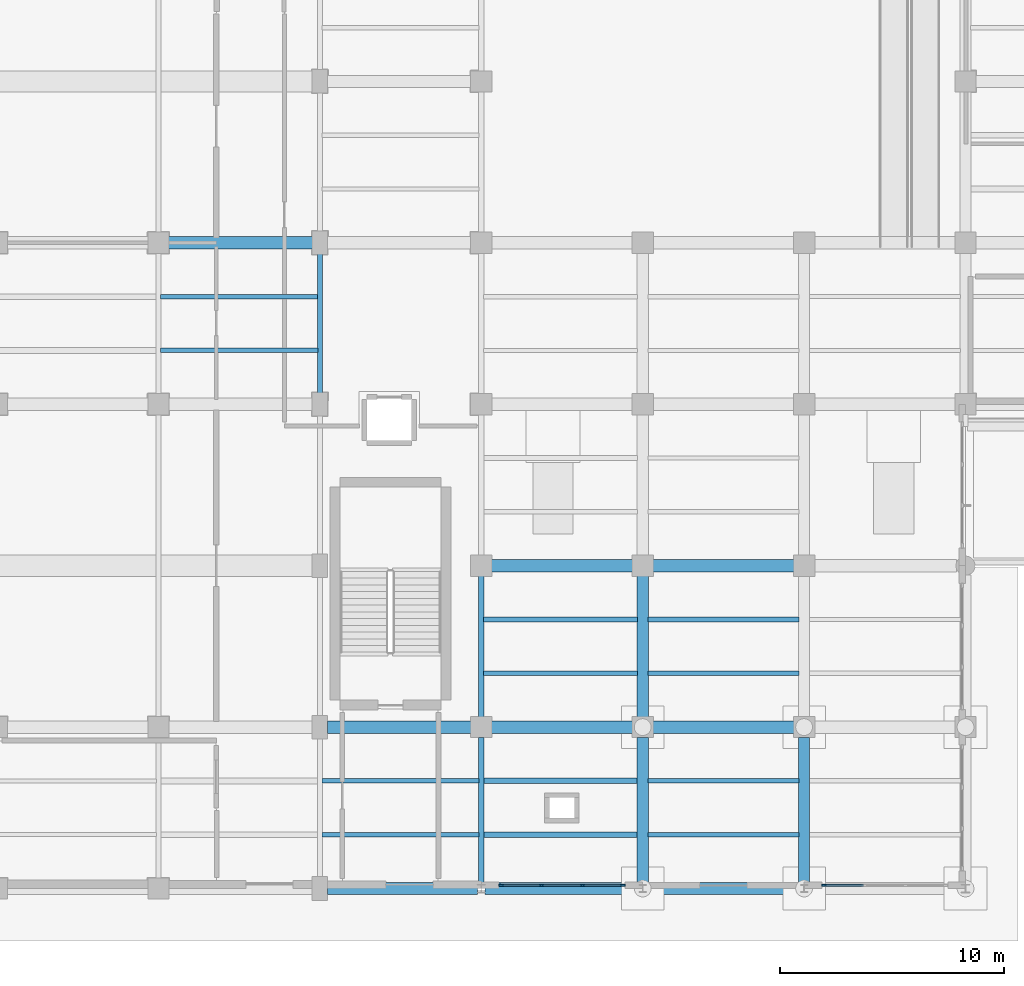
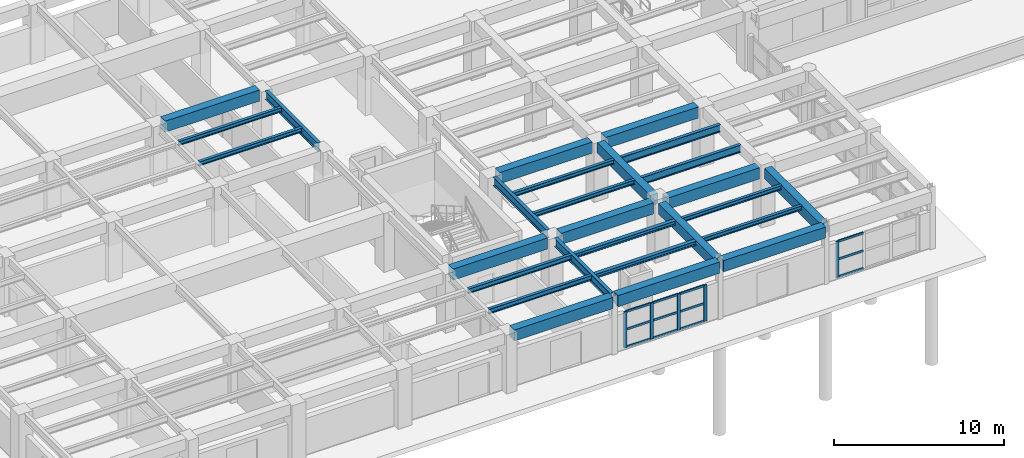
# One storey, part 6 of 64: 27 beams, 17 members, 2 elements without a shape of their own.
"""IFC4 building model written with IfcOpenShell, lengths in metres."""

from ifc_helpers import new_model, si_unit, direction, frame, origin, origin_2d, place, context, subcontext, project, spatial, rectangle, i_section, extrude, material, layer, layer_set, material_profile, profile_set, type_object, element, aggregate, save


model = new_model("IFC4")

# Units and contexts
model_context = context("Model", 3, precision=1e-05, world=origin(), true_north=direction((0.0, 1.0)))
body_context = subcontext(model_context, "Body", "Model", "MODEL_VIEW")
ifc_project = project(units=[si_unit("LENGTHUNIT", "METRE"), si_unit("AREAUNIT", "SQUARE_METRE"), si_unit("VOLUMEUNIT", "CUBIC_METRE"), si_unit("PLANEANGLEUNIT", "RADIAN"), si_unit("MASSUNIT", "GRAM", prefix="KILO")], contexts=[model_context])

# Site, building, storey
site_placement = place(None, origin())
site = spatial("IfcSite", under=ifc_project, at=site_placement, CompositionType="ELEMENT")
building_placement = place(site_placement, origin())
building = spatial("IfcBuilding", under=site, at=building_placement, Name="Solenvale Faculty of Natural Sciences", CompositionType="ELEMENT")
storey_placement = place(building_placement, origin())
storey = spatial("IfcBuildingStorey", under=building, at=storey_placement, Name="L00", CompositionType="ELEMENT", Elevation=0.0)

# Beams
ifc_material_1 = material(Name="Concrete 40 MPa", Category="concrete")
ifc_material_profile_1 = material_profile(ifc_material_1, rectangle(XDim=0.5, YDim=0.75, at=origin_2d()), Name="RC-BM-500x750")
ifc_profile_set_1 = profile_set([ifc_material_profile_1], Name="Concrete 40 MPa")
beam_type_1 = type_object("IfcBeamType", Name="BM-RC-500x750", PredefinedType="BEAM", material=ifc_profile_set_1)
beam_1_placement = place(storey_placement, frame((43.199951171875, 0.138916015625, 3.844970703125), z_axis=(0.0, 1.0, 0.0), x_axis=(-1.0, 0.0, 0.0)))
element("IfcBeam", 1, at=beam_1_placement, inside=storey, type_object=beam_type_1, Name="L00 Y-Girder X43.2 (0.0..7.2)", PredefinedType="BEAM", context=body_context, shape_type="SweptSolid", body=[
    extrude(rectangle(XDim=0.5, YDim=0.75, at=origin_2d()), origin(), (0.0, 0.0, 1.0), 6.606201171875),
])
beam_2_placement = place(storey_placement, frame((43.199951171875, 7.655029296875, 3.844970703125), z_axis=(0.0, 1.0, 0.0), x_axis=(-1.0, 0.0, 0.0)))
element("IfcBeam", 2, at=beam_2_placement, inside=storey, type_object=beam_type_1, Name="L00 Y-Girder X43.2 (7.2..14.4)", PredefinedType="BEAM", context=body_context, shape_type="SweptSolid", body=[
    extrude(rectangle(XDim=0.5, YDim=0.75, at=origin_2d()), origin(), (0.0, 0.0, 1.0), 6.2900390625),
])
beam_3_placement = place(storey_placement, frame((50.39990234375, 0.138916015625, 3.844970703125), z_axis=(0.0, 1.0, 0.0), x_axis=(-1.0, 0.0, 0.0)))
element("IfcBeam", 3, at=beam_3_placement, inside=storey, type_object=beam_type_1, Name="L00 Y-Girder X50.4 (0.0..7.2)", PredefinedType="BEAM", context=body_context, shape_type="SweptSolid", body=[
    extrude(rectangle(XDim=0.5, YDim=0.75, at=origin_2d()), origin(), (0.0, 0.0, 1.0), 6.606201171875),
])
ifc_material_profile_2 = material_profile(ifc_material_1, rectangle(XDim=0.550048828125, YDim=0.800048828125, at=origin_2d()), Name="RC-BM-550x800")
ifc_profile_set_2 = profile_set([ifc_material_profile_2], Name="Concrete 40 MPa")
beam_type_2 = type_object("IfcBeamType", Name="BM-RC-550x800", PredefinedType="BEAM", material=ifc_profile_set_2)
beam_4_placement = place(storey_placement, frame((29.1298828125, 0.0, 3.820068359375), z_axis=(1.0, 0.0, 0.0), x_axis=(0.0, 1.0, 0.0)))
element("IfcBeam", 4, at=beam_4_placement, inside=storey, type_object=beam_type_2, Name="L00 X-Girder Y0.0 (28.8..36.0)", PredefinedType="BEAM", context=body_context, shape_type="SweptSolid", body=[
    extrude(rectangle(XDim=0.550048828125, YDim=0.800048828125, at=origin_2d()), origin(), (0.0, 0.0, 1.0), 6.7060546875),
])
beam_5_placement = place(storey_placement, frame((36.1640625, 0.0, 3.820068359375), z_axis=(1.0, 0.0, 0.0), x_axis=(0.0, 1.0, 0.0)))
element("IfcBeam", 5, at=beam_5_placement, inside=storey, type_object=beam_type_2, Name="L00 X-Girder Y0.0 (36.0..43.2)", PredefinedType="BEAM", context=body_context, shape_type="SweptSolid", body=[
    extrude(rectangle(XDim=0.550048828125, YDim=0.800048828125, at=origin_2d()), origin(), (0.0, 0.0, 1.0), 6.90185546875),
])
beam_6_placement = place(storey_placement, frame((43.333984375, 0.0, 3.820068359375), z_axis=(1.0, 0.0, 0.0), x_axis=(0.0, 1.0, 0.0)))
element("IfcBeam", 6, at=beam_6_placement, inside=storey, type_object=beam_type_2, Name="L00 X-Girder Y0.0 (43.2..50.4)", PredefinedType="BEAM", context=body_context, shape_type="SweptSolid", body=[
    extrude(rectangle(XDim=0.550048828125, YDim=0.800048828125, at=origin_2d()), origin(), (0.0, 0.0, 1.0), 6.93212890625),
])
beam_7_placement = place(storey_placement, frame((29.1298828125, 7.199951171875, 3.820068359375), z_axis=(1.0, 0.0, 0.0), x_axis=(0.0, 1.0, 0.0)))
element("IfcBeam", 7, at=beam_7_placement, inside=storey, type_object=beam_type_2, Name="L00 X-Girder Y7.2 (28.8..36.0)", PredefinedType="BEAM", context=body_context, shape_type="SweptSolid", body=[
    extrude(rectangle(XDim=0.550048828125, YDim=0.800048828125, at=origin_2d()), origin(), (0.0, 0.0, 1.0), 6.4150390625),
])
for number, where, z_axis, x_axis, name in (
    (8, (36.455078125, 7.199951171875, 3.820068359375), (1.0, 0.0, 0.0), (0.0, 1.0, 0.0), "L00 X-Girder Y7.2 (36.0..43.2)"),
    (9, (43.655029296875, 7.199951171875, 3.820068359375), (1.0, 0.0, 0.0), (0.0, 1.0, 0.0), "L00 X-Girder Y7.2 (43.2..50.4)"),
    (10, (36.455078125, 14.39990234375, 3.820068359375), (1.0, 0.0, 0.0), (0.0, 1.0, 0.0), "L00 X-Girder Y14.4 (36.0..43.2)"),
    (11, (43.655029296875, 14.39990234375, 3.820068359375), (1.0, 0.0, 0.0), (0.0, 1.0, 0.0), "L00 X-Girder Y14.4 (43.2..50.4)"),
):
    element("IfcBeam", number, at=place(storey_placement, frame(where, z_axis=z_axis, x_axis=x_axis)), inside=storey, type_object=beam_type_2, Name=name, PredefinedType="BEAM", context=body_context, shape_type="SweptSolid", body=[
        extrude(rectangle(XDim=0.550048828125, YDim=0.800048828125, at=origin_2d()), origin(), (0.0, 0.0, 1.0), 6.2900390625),
    ])
beam_8_placement = place(storey_placement, frame((22.054931640625, 28.800048828125, 3.820068359375), z_axis=(1.0, 0.0, 0.0), x_axis=(0.0, 1.0, 0.0)))
element("IfcBeam", 12, at=beam_8_placement, inside=storey, type_object=beam_type_2, Name="L00 X-Girder Y28.8 (21.6..28.8)", PredefinedType="BEAM", context=body_context, shape_type="SweptSolid", body=[
    extrude(rectangle(XDim=0.550048828125, YDim=0.800048828125, at=origin_2d()), origin(), (0.0, 0.0, 1.0), 6.4150390625),
])
ifc_material_2 = material(Name="Steel S355", Category="steel")
ifc_material_profile_3 = material_profile(ifc_material_2, i_section(OverallWidth=0.202880859375, OverallDepth=0.302978515625, WebThickness=0.007568359375, FlangeThickness=0.01318359375, FilletRadius=0.014892578125, at=origin_2d()), Name="W310x60")
ifc_profile_set_3 = profile_set([ifc_material_profile_3], Name="Steel S355")
beam_type_3 = type_object("IfcBeamType", Name="BM-STL-W310x60", PredefinedType="JOIST", material=ifc_profile_set_3)
for number, where, z_axis, x_axis, name in (
    (13, (21.695068359375, 24.0, 4.068603515625), (1.0, 0.0, 0.0), (0.0, 1.0, 0.0), "L00 Composite Floor Joist (4,4).1"),
    (14, (21.695068359375, 26.39990234375, 4.068603515625), (1.0, 0.0, 0.0), (0.0, 1.0, 0.0), "L00 Composite Floor Joist (4,4).2"),
):
    element("IfcBeam", number, at=place(storey_placement, frame(where, z_axis=z_axis, x_axis=x_axis)), inside=storey, type_object=beam_type_3, Name=name, PredefinedType="JOIST", context=body_context, shape_type="SweptSolid", body=[
        extrude(i_section(OverallWidth=0.202880859375, OverallDepth=0.302978515625, WebThickness=0.007568359375, FlangeThickness=0.01318359375, FilletRadius=0.014892578125, at=origin_2d()), origin(), (0.0, 0.0, 1.0), 7.010986328125),
    ])
for number, where, z_axis, x_axis, name in (
    (15, (36.093994140625, 9.60009765625, 4.068603515625), (1.0, 0.0, 0.0), (0.0, 1.0, 0.0), "L00 Composite Floor Joist (6,2).1"),
    (16, (36.093994140625, 12.0, 4.068603515625), (1.0, 0.0, 0.0), (0.0, 1.0, 0.0), "L00 Composite Floor Joist (6,2).2"),
):
    element("IfcBeam", number, at=place(storey_placement, frame(where, z_axis=z_axis, x_axis=x_axis)), inside=storey, type_object=beam_type_3, Name=name, PredefinedType="JOIST", context=body_context, shape_type="SweptSolid", body=[
        extrude(i_section(OverallWidth=0.202880859375, OverallDepth=0.302978515625, WebThickness=0.007568359375, FlangeThickness=0.01318359375, FilletRadius=0.014892578125, at=origin_2d()), origin(), (0.0, 0.0, 1.0), 6.8759765625),
    ])
for number, where, z_axis, x_axis, name in (
    (17, (43.429931640625, 2.39990234375, 4.068603515625), (1.0, 0.0, 0.0), (0.0, 1.0, 0.0), "L00 Composite Floor Joist (7,1).1"),
    (18, (43.429931640625, 4.800048828125, 4.068603515625), (1.0, 0.0, 0.0), (0.0, 1.0, 0.0), "L00 Composite Floor Joist (7,1).2"),
):
    element("IfcBeam", number, at=place(storey_placement, frame(where, z_axis=z_axis, x_axis=x_axis)), inside=storey, type_object=beam_type_3, Name=name, PredefinedType="JOIST", context=body_context, shape_type="SweptSolid", body=[
        extrude(i_section(OverallWidth=0.202880859375, OverallDepth=0.302978515625, WebThickness=0.007568359375, FlangeThickness=0.01318359375, FilletRadius=0.014892578125, at=origin_2d()), origin(), (0.0, 0.0, 1.0), 6.739990234375),
    ])
ifc_material_profile_4 = material_profile(ifc_material_2, i_section(OverallWidth=0.25390625, OverallDepth=0.305908203125, WebThickness=0.0087890625, FlangeThickness=0.0146484375, FilletRadius=0.014892578125, at=origin_2d()), Name="W310x79")
ifc_profile_set_4 = profile_set([ifc_material_profile_4], Name="Steel S355")
beam_type_4 = type_object("IfcBeamType", Name="BM-STL-W310x79", PredefinedType="JOIST", material=ifc_profile_set_4)
for number, where, z_axis, x_axis, name in (
    (19, (36.093994140625, 2.39990234375, 4.06689453125), (1.0, 0.0, 0.0), (0.0, 1.0, 0.0), "L00 Composite Floor Joist (6,1).1"),
    (20, (36.093994140625, 4.800048828125, 4.06689453125), (1.0, 0.0, 0.0), (0.0, 1.0, 0.0), "L00 Composite Floor Joist (6,1).2"),
):
    element("IfcBeam", number, at=place(storey_placement, frame(where, z_axis=z_axis, x_axis=x_axis)), inside=storey, type_object=beam_type_4, Name=name, PredefinedType="JOIST", context=body_context, shape_type="SweptSolid", body=[
        extrude(i_section(OverallWidth=0.25390625, OverallDepth=0.305908203125, WebThickness=0.0087890625, FlangeThickness=0.0146484375, FilletRadius=0.014892578125, at=origin_2d()), origin(), (0.0, 0.0, 1.0), 6.8759765625),
    ])
ifc_material_profile_5 = material_profile(ifc_material_2, i_section(OverallWidth=0.2041015625, OverallDepth=0.35009765625, WebThickness=0.008544921875, FlangeThickness=0.01513671875, FilletRadius=0.014892578125, at=origin_2d()), Name="W360x72")
ifc_profile_set_5 = profile_set([ifc_material_profile_5], Name="Steel S355")
beam_type_5 = type_object("IfcBeamType", Name="BM-STL-W360x72", PredefinedType="JOIST", material=ifc_profile_set_5)
for number, where, z_axis, x_axis, name in (
    (21, (28.89501953125, 2.39990234375, 4.044921875), (1.0, 0.0, 0.0), (0.0, 1.0, 0.0), "L00 Composite Floor Joist (5,1).1"),
    (22, (28.89501953125, 4.800048828125, 4.044921875), (1.0, 0.0, 0.0), (0.0, 1.0, 0.0), "L00 Composite Floor Joist (5,1).2"),
):
    element("IfcBeam", number, at=place(storey_placement, frame(where, z_axis=z_axis, x_axis=x_axis)), inside=storey, type_object=beam_type_5, Name=name, PredefinedType="JOIST", context=body_context, shape_type="SweptSolid", body=[
        extrude(i_section(OverallWidth=0.2041015625, OverallDepth=0.35009765625, WebThickness=0.008544921875, FlangeThickness=0.01513671875, FilletRadius=0.014892578125, at=origin_2d()), origin(), (0.0, 0.0, 1.0), 7.010986328125),
    ])
ifc_material_profile_6 = material_profile(ifc_material_2, i_section(OverallWidth=0.208984375, OverallDepth=0.532958984375, WebThickness=0.01025390625, FlangeThickness=0.015625, FilletRadius=0.01904296875, at=origin_2d()), Name="W530x92")
ifc_profile_set_6 = profile_set([ifc_material_profile_6], Name="Steel S355")
beam_type_6 = type_object("IfcBeamType", Name="BM-STL-W530x92", PredefinedType="JOIST", material=ifc_profile_set_6)
for number, where, z_axis, x_axis, name in (
    (23, (43.429931640625, 9.60009765625, 3.95361328125), (1.0, 0.0, 0.0), (0.0, 1.0, 0.0), "L00 Composite Floor Joist (7,2).1"),
    (24, (43.429931640625, 12.0, 3.95361328125), (1.0, 0.0, 0.0), (0.0, 1.0, 0.0), "L00 Composite Floor Joist (7,2).2"),
):
    element("IfcBeam", number, at=place(storey_placement, frame(where, z_axis=z_axis, x_axis=x_axis)), inside=storey, type_object=beam_type_6, Name=name, PredefinedType="JOIST", context=body_context, shape_type="SweptSolid", body=[
        extrude(i_section(OverallWidth=0.208984375, OverallDepth=0.532958984375, WebThickness=0.01025390625, FlangeThickness=0.015625, FilletRadius=0.01904296875, at=origin_2d()), origin(), (0.0, 0.0, 1.0), 6.739990234375),
    ])
ifc_material_profile_7 = material_profile(ifc_material_2, i_section(OverallWidth=0.22900390625, OverallDepth=0.612060546875, WebThickness=0.011962890625, FlangeThickness=0.01953125, FilletRadius=0.01904296875, at=origin_2d()), Name="W610x125")
ifc_profile_set_7 = profile_set([ifc_material_profile_7], Name="Steel S355")
beam_type_7 = type_object("IfcBeamType", Name="BM-STL-W610x125", PredefinedType="BEAM", material=ifc_profile_set_7)
beam_9_placement = place(storey_placement, frame((28.800048828125, 22.10498046875, 3.9140625), z_axis=(0.0, 1.0, 0.0), x_axis=(-1.0, 0.0, 0.0)))
element("IfcBeam", 25, at=beam_9_placement, inside=storey, type_object=beam_type_7, Name="L00 Y-Girder X28.8 (21.6..28.8)", PredefinedType="BEAM", context=body_context, shape_type="SweptSolid", body=[
    extrude(i_section(OverallWidth=0.22900390625, OverallDepth=0.612060546875, WebThickness=0.011962890625, FlangeThickness=0.01953125, FilletRadius=0.01904296875, at=origin_2d()), origin(), (0.0, 0.0, 1.0), 6.18994140625),
])
beam_10_placement = place(storey_placement, frame((36.0, 0.157958984375, 3.9140625), z_axis=(0.0, 1.0, 0.0), x_axis=(-1.0, 0.0, 0.0)))
element("IfcBeam", 26, at=beam_10_placement, inside=storey, type_object=beam_type_7, Name="L00 Y-Girder X36.0 (0.0..7.2)", PredefinedType="BEAM", context=body_context, shape_type="SweptSolid", body=[
    extrude(i_section(OverallWidth=0.22900390625, OverallDepth=0.612060546875, WebThickness=0.011962890625, FlangeThickness=0.01953125, FilletRadius=0.01904296875, at=origin_2d()), origin(), (0.0, 0.0, 1.0), 6.587158203125),
])
beam_11_placement = place(storey_placement, frame((36.0, 7.655029296875, 3.9140625), z_axis=(0.0, 1.0, 0.0), x_axis=(-1.0, 0.0, 0.0)))
element("IfcBeam", 27, at=beam_11_placement, inside=storey, type_object=beam_type_7, Name="L00 Y-Girder X36.0 (7.2..14.4)", PredefinedType="BEAM", context=body_context, shape_type="SweptSolid", body=[
    extrude(i_section(OverallWidth=0.22900390625, OverallDepth=0.612060546875, WebThickness=0.011962890625, FlangeThickness=0.01953125, FilletRadius=0.01904296875, at=origin_2d()), origin(), (0.0, 0.0, 1.0), 6.2900390625),
])

# Curtain wall, members
ifc_material_3 = material(Name="Anodised bronze aluminium", Category="aluminium")
ifc_layer = layer(ifc_material_3, 0.205078125)
ifc_layer_set = layer_set([ifc_layer], Name="Anodised bronze aluminium")
curtain_wall_type = type_object("IfcCurtainWallType", Name="CW-POR-GLZ", PredefinedType="USERDEFINED", material=ifc_layer_set)
curtain_wall_1_placement = place(storey_placement, origin())
curtain_wall_1 = element("IfcCurtainWall", 28, at=curtain_wall_1_placement, inside=storey, type_object=curtain_wall_type, Name="L00 Curtain Wall CW-L00-P1-E26-B1", ObjectType="UNITISED CURTAIN WALL", PredefinedType="USERDEFINED")
ifc_material_profile_8 = material_profile(ifc_material_3, rectangle(XDim=0.074951171875, YDim=0.2099609375, at=origin_2d()), Name="ALU-MUL-75x210")
ifc_profile_set_8 = profile_set([ifc_material_profile_8], Name="Anodised bronze aluminium")
member_type_1 = type_object("IfcMemberType", Name="CWM-ALU-75x210", PredefinedType="MULLION", material=ifc_profile_set_8)
member_1_placement = place(storey_placement, frame((36.887451171875, 0.142578125, 0.0), z_axis=(0.0, 0.0, 1.0), x_axis=(0.0, 1.0, 0.0)))
member_1 = element("IfcMember", 29, at=member_1_placement, type_object=member_type_1, Name="CW-06 mullion 1", PredefinedType="MULLION", context=body_context, shape_type="SweptSolid", body=[
    extrude(rectangle(XDim=0.074951171875, YDim=0.2099609375, at=origin_2d()), origin(), (0.0, 0.0, 1.0), 2.60009765625),
])
member_2_placement = place(storey_placement, frame((38.683349609375, 0.142578125, 0.0), z_axis=(0.0, 0.0, 1.0), x_axis=(0.0, 1.0, 0.0)))
member_2 = element("IfcMember", 30, at=member_2_placement, type_object=member_type_1, Name="CW-06 mullion 2", PredefinedType="MULLION", context=body_context, shape_type="SweptSolid", body=[
    extrude(rectangle(XDim=0.074951171875, YDim=0.2099609375, at=origin_2d()), origin(), (0.0, 0.0, 1.0), 2.60009765625),
])
member_3_placement = place(storey_placement, frame((40.5166015625, 0.142578125, 0.0), z_axis=(0.0, 0.0, 1.0), x_axis=(0.0, 1.0, 0.0)))
member_3 = element("IfcMember", 31, at=member_3_placement, type_object=member_type_1, Name="CW-06 mullion 3", PredefinedType="MULLION", context=body_context, shape_type="SweptSolid", body=[
    extrude(rectangle(XDim=0.074951171875, YDim=0.2099609375, at=origin_2d()), origin(), (0.0, 0.0, 1.0), 2.60009765625),
])
member_4_placement = place(storey_placement, frame((42.3125, 0.142578125, 0.0), z_axis=(0.0, 0.0, 1.0), x_axis=(0.0, 1.0, 0.0)))
member_4 = element("IfcMember", 32, at=member_4_placement, type_object=member_type_1, Name="CW-06 mullion 4", PredefinedType="MULLION", context=body_context, shape_type="SweptSolid", body=[
    extrude(rectangle(XDim=0.074951171875, YDim=0.2099609375, at=origin_2d()), origin(), (0.0, 0.0, 1.0), 2.60009765625),
])

# Curtain wall, member
curtain_wall_2_placement = place(storey_placement, origin())
curtain_wall_2 = element("IfcCurtainWall", 33, at=curtain_wall_2_placement, inside=storey, type_object=curtain_wall_type, Name="L00 Curtain Wall CW-L00-P1-E26-B3", ObjectType="UNITISED CURTAIN WALL", PredefinedType="USERDEFINED")
member_5_placement = place(storey_placement, frame((51.28759765625, 0.142578125, 0.0), z_axis=(0.0, 0.0, 1.0), x_axis=(0.0, 1.0, 0.0)))
member_5 = element("IfcMember", 34, at=member_5_placement, type_object=member_type_1, Name="CW-06 mullion 1", PredefinedType="MULLION", context=body_context, shape_type="SweptSolid", body=[
    extrude(rectangle(XDim=0.074951171875, YDim=0.2099609375, at=origin_2d()), origin(), (0.0, 0.0, 1.0), 2.60009765625),
])

# Member
ifc_material_profile_9 = material_profile(ifc_material_3, rectangle(XDim=0.074951171875, YDim=0.155029296875, at=origin_2d()), Name="ALU-TRN-75x155")
ifc_profile_set_9 = profile_set([ifc_material_profile_9], Name="Anodised bronze aluminium")
member_type_2 = type_object("IfcMemberType", Name="CWT-ALU-75x155", PredefinedType="USERDEFINED", material=ifc_profile_set_9)
member_6_placement = place(storey_placement, frame((36.925048828125, 0.142578125, 0.03759765625), z_axis=(1.0, 0.0, 0.0), x_axis=(0.0, 1.0, 0.0)))
member_6 = element("IfcMember", 35, at=member_6_placement, type_object=member_type_2, Name="CW-06 transom 1.1", ObjectType="TRANSOM", PredefinedType="USERDEFINED", context=body_context, shape_type="SweptSolid", body=[
    extrude(rectangle(XDim=0.074951171875, YDim=0.155029296875, at=origin_2d()), origin(), (0.0, 0.0, 1.0), 1.720703125),
])

member_7_placement = place(storey_placement, frame((36.925048828125, 0.142578125, 1.300048828125), z_axis=(1.0, 0.0, 0.0), x_axis=(0.0, 1.0, 0.0)))
member_7 = element("IfcMember", 36, at=member_7_placement, type_object=member_type_2, Name="CW-06 transom 1.2", ObjectType="TRANSOM", PredefinedType="USERDEFINED", context=body_context, shape_type="SweptSolid", body=[
    extrude(rectangle(XDim=0.074951171875, YDim=0.155029296875, at=origin_2d()), origin(), (0.0, 0.0, 1.0), 1.720703125),
])

member_8_placement = place(storey_placement, frame((36.925048828125, 0.142578125, 2.5625), z_axis=(1.0, 0.0, 0.0), x_axis=(0.0, 1.0, 0.0)))
member_8 = element("IfcMember", 37, at=member_8_placement, type_object=member_type_2, Name="CW-06 transom 1.3", ObjectType="TRANSOM", PredefinedType="USERDEFINED", context=body_context, shape_type="SweptSolid", body=[
    extrude(rectangle(XDim=0.074951171875, YDim=0.155029296875, at=origin_2d()), origin(), (0.0, 0.0, 1.0), 1.720703125),
])

member_9_placement = place(storey_placement, frame((38.720947265625, 0.142578125, 0.03759765625), z_axis=(1.0, 0.0, 0.0), x_axis=(0.0, 1.0, 0.0)))
member_9 = element("IfcMember", 38, at=member_9_placement, type_object=member_type_2, Name="CW-06 transom 2.1", ObjectType="TRANSOM", PredefinedType="USERDEFINED", context=body_context, shape_type="SweptSolid", body=[
    extrude(rectangle(XDim=0.074951171875, YDim=0.155029296875, at=origin_2d()), origin(), (0.0, 0.0, 1.0), 1.75830078125),
])

member_10_placement = place(storey_placement, frame((38.720947265625, 0.142578125, 1.300048828125), z_axis=(1.0, 0.0, 0.0), x_axis=(0.0, 1.0, 0.0)))
member_10 = element("IfcMember", 39, at=member_10_placement, type_object=member_type_2, Name="CW-06 transom 2.2", ObjectType="TRANSOM", PredefinedType="USERDEFINED", context=body_context, shape_type="SweptSolid", body=[
    extrude(rectangle(XDim=0.074951171875, YDim=0.155029296875, at=origin_2d()), origin(), (0.0, 0.0, 1.0), 1.75830078125),
])

member_11_placement = place(storey_placement, frame((38.720947265625, 0.142578125, 2.5625), z_axis=(1.0, 0.0, 0.0), x_axis=(0.0, 1.0, 0.0)))
member_11 = element("IfcMember", 40, at=member_11_placement, type_object=member_type_2, Name="CW-06 transom 2.3", ObjectType="TRANSOM", PredefinedType="USERDEFINED", context=body_context, shape_type="SweptSolid", body=[
    extrude(rectangle(XDim=0.074951171875, YDim=0.155029296875, at=origin_2d()), origin(), (0.0, 0.0, 1.0), 1.75830078125),
])

member_12_placement = place(storey_placement, frame((40.55419921875, 0.142578125, 0.03759765625), z_axis=(1.0, 0.0, 0.0), x_axis=(0.0, 1.0, 0.0)))
member_12 = element("IfcMember", 41, at=member_12_placement, type_object=member_type_2, Name="CW-06 transom 3.1", ObjectType="TRANSOM", PredefinedType="USERDEFINED", context=body_context, shape_type="SweptSolid", body=[
    extrude(rectangle(XDim=0.074951171875, YDim=0.155029296875, at=origin_2d()), origin(), (0.0, 0.0, 1.0), 1.720703125),
])

member_13_placement = place(storey_placement, frame((40.55419921875, 0.142578125, 1.300048828125), z_axis=(1.0, 0.0, 0.0), x_axis=(0.0, 1.0, 0.0)))
member_13 = element("IfcMember", 42, at=member_13_placement, type_object=member_type_2, Name="CW-06 transom 3.2", ObjectType="TRANSOM", PredefinedType="USERDEFINED", context=body_context, shape_type="SweptSolid", body=[
    extrude(rectangle(XDim=0.074951171875, YDim=0.155029296875, at=origin_2d()), origin(), (0.0, 0.0, 1.0), 1.720703125),
])

member_14_placement = place(storey_placement, frame((40.55419921875, 0.142578125, 2.5625), z_axis=(1.0, 0.0, 0.0), x_axis=(0.0, 1.0, 0.0)))
member_14 = element("IfcMember", 43, at=member_14_placement, type_object=member_type_2, Name="CW-06 transom 3.3", ObjectType="TRANSOM", PredefinedType="USERDEFINED", context=body_context, shape_type="SweptSolid", body=[
    extrude(rectangle(XDim=0.074951171875, YDim=0.155029296875, at=origin_2d()), origin(), (0.0, 0.0, 1.0), 1.720703125),
])

aggregate(curtain_wall_1, [member_1, member_2, member_3, member_4, member_6, member_7, member_8, member_9, member_10, member_11, member_12, member_13, member_14])

member_15_placement = place(storey_placement, frame((51.324951171875, 0.142578125, 0.03759765625), z_axis=(1.0, 0.0, 0.0), x_axis=(0.0, 1.0, 0.0)))
member_15 = element("IfcMember", 44, at=member_15_placement, type_object=member_type_2, Name="CW-06 transom 1.1", ObjectType="TRANSOM", PredefinedType="USERDEFINED", context=body_context, shape_type="SweptSolid", body=[
    extrude(rectangle(XDim=0.074951171875, YDim=0.155029296875, at=origin_2d()), origin(), (0.0, 0.0, 1.0), 1.720947265625),
])

member_16_placement = place(storey_placement, frame((51.324951171875, 0.142578125, 1.300048828125), z_axis=(1.0, 0.0, 0.0), x_axis=(0.0, 1.0, 0.0)))
member_16 = element("IfcMember", 45, at=member_16_placement, type_object=member_type_2, Name="CW-06 transom 1.2", ObjectType="TRANSOM", PredefinedType="USERDEFINED", context=body_context, shape_type="SweptSolid", body=[
    extrude(rectangle(XDim=0.074951171875, YDim=0.155029296875, at=origin_2d()), origin(), (0.0, 0.0, 1.0), 1.720947265625),
])

member_17_placement = place(storey_placement, frame((51.324951171875, 0.142578125, 2.5625), z_axis=(1.0, 0.0, 0.0), x_axis=(0.0, 1.0, 0.0)))
member_17 = element("IfcMember", 46, at=member_17_placement, type_object=member_type_2, Name="CW-06 transom 1.3", ObjectType="TRANSOM", PredefinedType="USERDEFINED", context=body_context, shape_type="SweptSolid", body=[
    extrude(rectangle(XDim=0.074951171875, YDim=0.155029296875, at=origin_2d()), origin(), (0.0, 0.0, 1.0), 1.720947265625),
])

aggregate(curtain_wall_2, [member_5, member_15, member_16, member_17])

save(model, "model.ifc")
